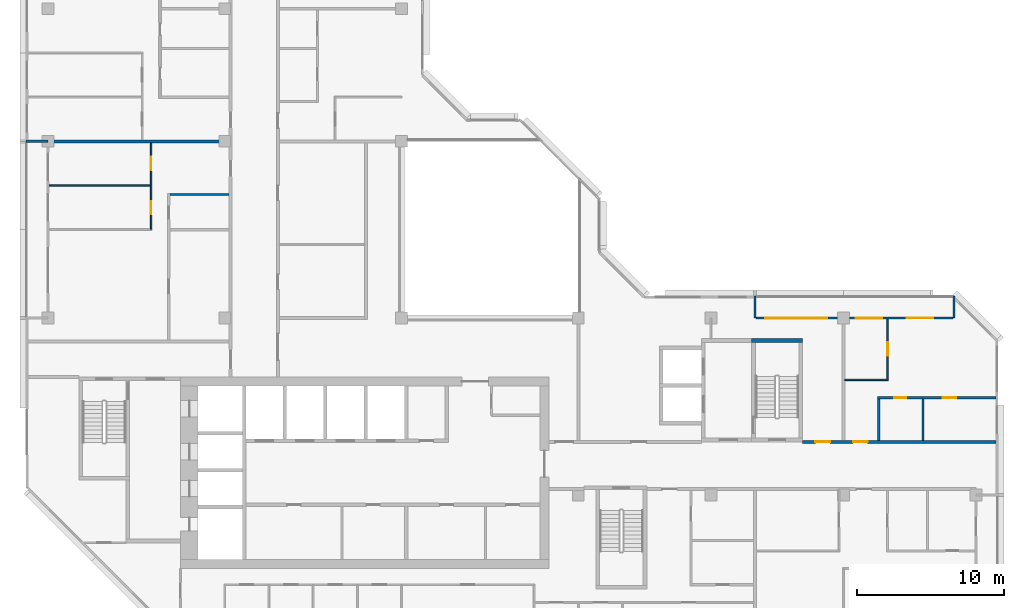
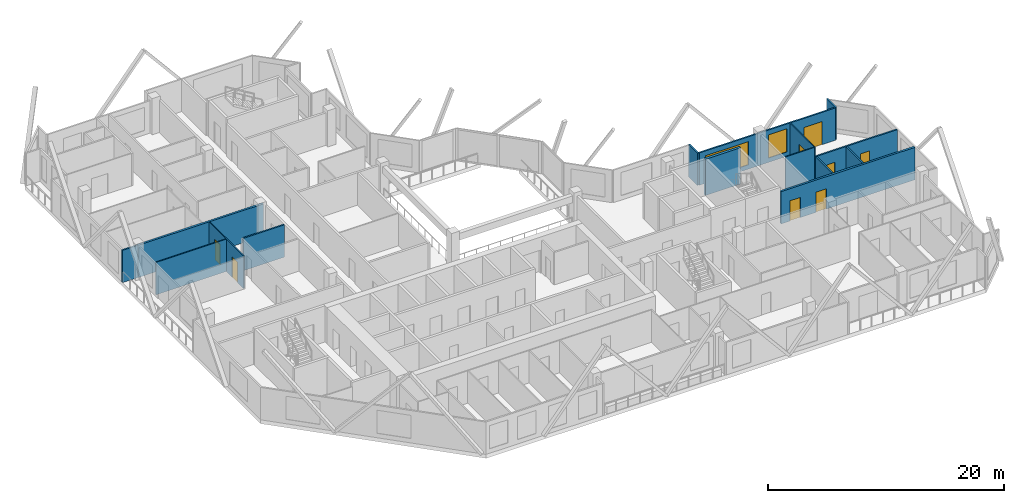
# One storey, part 8 of 13: 15 walls, 8 doors, 2 windows, 10 openings.
"""IFC4 building model written with IfcOpenShell, lengths in metres."""

from ifc_helpers import new_model, si_unit, direction, frame, frame_2d, origin, place, context, subcontext, project, spatial, rectangle, extrude, material, layer, layer_set, type_object, element, fill, save


model = new_model("IFC4")

# Units and contexts
model_context = context("Model", 3, precision=1e-05, world=origin(), true_north=direction((0.0, 1.0)))
body_context = subcontext(model_context, "Body", "Model", "MODEL_VIEW")
ifc_project = project(units=[si_unit("LENGTHUNIT", "METRE"), si_unit("AREAUNIT", "SQUARE_METRE"), si_unit("VOLUMEUNIT", "CUBIC_METRE"), si_unit("PLANEANGLEUNIT", "RADIAN"), si_unit("MASSUNIT", "GRAM", prefix="KILO")], contexts=[model_context])

# Site, building, storey
site_placement = place(None, origin())
site = spatial("IfcSite", under=ifc_project, at=site_placement, CompositionType="ELEMENT")
building_placement = place(site_placement, origin())
building = spatial("IfcBuilding", under=site, at=building_placement, Name="Chenar Terraces", CompositionType="ELEMENT")
storey_placement = place(building_placement, frame((0.0, 0.0, 273.39990234375)))
storey = spatial("IfcBuildingStorey", under=building, at=storey_placement, Name="L63", CompositionType="ELEMENT", Elevation=273.39990234375)

# Wall
ifc_material_1 = material(Name="Concrete C50/60", Category="concrete")
ifc_layer_1 = layer(ifc_material_1, 0.25)
ifc_layer_set_1 = layer_set([ifc_layer_1], Name="Concrete C50/60")
wall_type_1 = type_object("IfcWallType", Name="Core wall 250 Concrete C50/60", PredefinedType="SHEAR", material=ifc_layer_set_1)
wall_1_placement = place(storey_placement, frame((47.77490234375, 22.47509765625, 0.0), z_axis=(0.0, 0.0, 1.0), x_axis=(1.0, 0.0, 0.0)))
element("IfcWall", 1, at=wall_1_placement, inside=storey, type_object=wall_type_1, Name="Core wall ST3_N L63", PredefinedType="SHEAR", context=body_context, shape_type="SweptSolid", body=[
    extrude(rectangle(XDim=3.4501953125, YDim=0.25, at=frame_2d((1.72509765625, 0.0))), origin(), (0.0, 0.0, 1.0), 3.75),
])

# Wall, openings, doors
ifc_material_2 = material(Name="Gypsum board on steel studs with fire boards", Category="steel")
ifc_layer_2 = layer(ifc_material_2, 0.199951171875)
ifc_layer_set_2 = layer_set([ifc_layer_2], Name="Gypsum board on steel studs with fire boards")
wall_type_2 = type_object("IfcWallType", Name="Corridor wall 200", PredefinedType="PARTITIONING", material=ifc_layer_set_2)
wall_2_placement = place(storey_placement, frame((51.22509765625, 15.60009765625, 0.0), z_axis=(0.0, 0.0, 1.0), x_axis=(1.0, 0.0, 0.0)))
wall_2 = element("IfcWall", 2, at=wall_2_placement, inside=storey, type_object=wall_type_2, Name="Partition L63-059", PredefinedType="PARTITIONING", context=body_context, shape_type="SweptSolid", body=[
    extrude(rectangle(XDim=13.125, YDim=0.199951171875, at=frame_2d((6.5625, 0.0))), origin(), (0.0, 0.0, 1.0), 3.35009765625),
])
opening_1_placement = place(wall_2_placement, frame((3.425048828125, 0.0, 0.0)))
opening_1 = element("IfcOpeningElement", 3, at=opening_1_placement, cuts=wall_2, Name="Opening DL63-7", PredefinedType="OPENING", context=body_context, shape_type="SweptSolid", body=[
    extrude(rectangle(XDim=1.0, YDim=2.10009765625, at=frame_2d((0.5, 1.050048828125))), frame((0.0, 0.10986328125, 0.0), z_axis=(0.0, -1.0, 0.0), x_axis=(1.0, 0.0, 0.0)), (0.0, 0.0, 1.0), 0.219970703125),
])
opening_2_placement = place(wall_2_placement, frame((0.875, 0.0, 0.0)))
opening_2 = element("IfcOpeningElement", 4, at=opening_2_placement, cuts=wall_2, Name="Opening DL63-32", PredefinedType="OPENING", context=body_context, shape_type="SweptSolid", body=[
    extrude(rectangle(XDim=1.0, YDim=2.10009765625, at=frame_2d((0.5, 1.050048828125))), frame((0.0, 0.10986328125, 0.0), z_axis=(0.0, -1.0, 0.0), x_axis=(1.0, 0.0, 0.0)), (0.0, 0.0, 1.0), 0.219970703125),
])
ifc_material_3 = material(Name="Steel-framed fire-resisting door leaf", Category="steel")
door_type_1 = type_object("IfcDoorType", Name="Fire door FD30S 1000 x 2100", OperationType="SINGLE_SWING_LEFT", PredefinedType="DOOR", material=ifc_material_3)
door_1_placement = place(opening_1_placement, origin())
door_1 = element("IfcDoor", 5, at=door_1_placement, inside=storey, type_object=door_type_1, Name="Door DL63-7", OperationType="SINGLE_SWING_LEFT", OverallHeight=2.10009765625, OverallWidth=1.0, PredefinedType="DOOR", context=body_context, shape_type="SweptSolid", body=[
    extrude(rectangle(XDim=1.0, YDim=2.10009765625, at=frame_2d((0.5, 1.050048828125))), frame((0.0, 0.02490234375, 0.0), z_axis=(0.0, -1.0, 0.0), x_axis=(1.0, 0.0, 0.0)), (0.0, 0.0, 1.0), 0.050048828125),
])
fill(opening_1, door_1)
door_2_placement = place(opening_2_placement, origin())
door_2 = element("IfcDoor", 6, at=door_2_placement, inside=storey, type_object=door_type_1, Name="Door DL63-32", OperationType="SINGLE_SWING_RIGHT", OverallHeight=2.10009765625, OverallWidth=1.0, PredefinedType="DOOR", context=body_context, shape_type="SweptSolid", body=[
    extrude(rectangle(XDim=1.0, YDim=2.10009765625, at=frame_2d((0.5, 1.050048828125))), frame((0.0, 0.02490234375, 0.0), z_axis=(0.0, -1.0, 0.0), x_axis=(1.0, 0.0, 0.0)), (0.0, 0.0, 1.0), 0.050048828125),
])
fill(opening_2, door_2)

# Wall, openings, windows, door
ifc_material_4 = material(Name="Aluminium framed glazing", Category="aluminium")
ifc_layer_3 = layer(ifc_material_4, 0.14990234375)
ifc_layer_set_3 = layer_set([ifc_layer_3], Name="Aluminium framed glazing")
wall_type_3 = type_object("IfcWallType", Name="Glazed loggia back wall 150", PredefinedType="SOLIDWALL", material=ifc_layer_set_3)
wall_3_placement = place(storey_placement, frame((61.425048828125, 24.0, 0.0), z_axis=(0.0, 0.0, 1.0), x_axis=(-1.0, 0.0, 0.0)))
wall_3 = element("IfcWall", 7, at=wall_3_placement, inside=storey, type_object=wall_type_3, Name="Glazed loggia back wall", PredefinedType="SOLIDWALL", context=body_context, shape_type="SweptSolid", body=[
    extrude(rectangle(XDim=13.35009765625, YDim=0.14990234375, at=frame_2d((6.675048828125, 0.0))), origin(), (0.0, 0.0, 1.0), 3.35009765625),
])
opening_3_placement = place(wall_3_placement, frame((1.3125, 0.0, 0.0)))
opening_3 = element("IfcOpeningElement", 8, at=opening_3_placement, cuts=wall_3, Name="Opening DL63-G1", PredefinedType="OPENING", context=body_context, shape_type="SweptSolid", body=[
    extrude(rectangle(XDim=1.800048828125, YDim=2.39990234375, at=frame_2d((0.89990234375, 1.199951171875))), frame((0.0, 0.0849609375, 0.0), z_axis=(0.0, -1.0, 0.0), x_axis=(1.0, 0.0, 0.0)), (0.0, 0.0, 1.0), 0.169921875),
])
opening_4_placement = place(wall_3_placement, frame((4.77490234375, 0.0, 0.449951171875)))
opening_4 = element("IfcOpeningElement", 9, at=opening_4_placement, cuts=wall_3, Name="Opening W180x240", PredefinedType="OPENING", context=body_context, shape_type="SweptSolid", body=[
    extrude(rectangle(XDim=1.800048828125, YDim=2.39990234375, at=frame_2d((0.89990234375, 1.199951171875))), frame((0.0, 0.0849609375, 0.0), z_axis=(0.0, -1.0, 0.0), x_axis=(1.0, 0.0, 0.0)), (0.0, 0.0, 1.0), 0.169921875),
])
opening_5_placement = place(wall_3_placement, frame((8.53759765625, 0.0, 0.449951171875)))
opening_5 = element("IfcOpeningElement", 10, at=opening_5_placement, cuts=wall_3, Name="Opening W420x240", PredefinedType="OPENING", context=body_context, shape_type="SweptSolid", body=[
    extrude(rectangle(XDim=4.199951171875, YDim=2.39990234375, at=frame_2d((2.10009765625, 1.199951171875))), frame((0.0, 0.0849609375, 0.0), z_axis=(0.0, -1.0, 0.0), x_axis=(1.0, 0.0, 0.0)), (0.0, 0.0, 1.0), 0.169921875),
])
ifc_material_5 = material(Name="Low emissivity double glazing, aluminium frame", Category="aluminium")
window_type_1 = type_object("IfcWindowType", Name="Fixed light 1800 x 2400", PartitioningType="SINGLE_PANEL", PredefinedType="WINDOW", material=ifc_material_5)
window_1_placement = place(opening_4_placement, origin())
window_1 = element("IfcWindow", 11, at=window_1_placement, inside=storey, type_object=window_type_1, Name="Window", OverallHeight=2.39990234375, OverallWidth=1.800048828125, PartitioningType="SINGLE_PANEL", PredefinedType="WINDOW", context=body_context, shape_type="SweptSolid", body=[
    extrude(rectangle(XDim=1.800048828125, YDim=2.39990234375, at=frame_2d((0.89990234375, 1.199951171875))), frame((0.0, 0.030029296875, 0.0), z_axis=(0.0, -1.0, 0.0), x_axis=(1.0, 0.0, 0.0)), (0.0, 0.0, 1.0), 0.06005859375),
])
fill(opening_4, window_1)
ifc_material_6 = material(Name="Low emissivity double glazing, aluminium frame", Category="aluminium")
window_type_2 = type_object("IfcWindowType", Name="Fixed light 4200 x 2400", PartitioningType="SINGLE_PANEL", PredefinedType="WINDOW", material=ifc_material_6)
window_2_placement = place(opening_5_placement, origin())
window_2 = element("IfcWindow", 12, at=window_2_placement, inside=storey, type_object=window_type_2, Name="Window", OverallHeight=2.39990234375, OverallWidth=4.199951171875, PartitioningType="SINGLE_PANEL", PredefinedType="WINDOW", context=body_context, shape_type="SweptSolid", body=[
    extrude(rectangle(XDim=4.199951171875, YDim=2.39990234375, at=frame_2d((2.10009765625, 1.199951171875))), frame((0.0, 0.030029296875, 0.0), z_axis=(0.0, -1.0, 0.0), x_axis=(1.0, 0.0, 0.0)), (0.0, 0.0, 1.0), 0.06005859375),
])
fill(opening_5, window_2)
ifc_material_7 = material(Name="Low emissivity double glazing, aluminium frame", Category="aluminium")
door_type_2 = type_object("IfcDoorType", Name="Loggia glazed double door 1800 x 2400", OperationType="DOUBLE_DOOR_SINGLE_SWING", PredefinedType="DOOR", material=ifc_material_7)
door_3_placement = place(opening_3_placement, frame((1.800048828125, 0.0, 0.0), z_axis=(0.0, 0.0, 1.0), x_axis=(-1.0, 0.0, 0.0)))
door_3 = element("IfcDoor", 13, at=door_3_placement, inside=storey, type_object=door_type_2, Name="Loggia glazed door", OperationType="DOUBLE_DOOR_SINGLE_SWING", OverallHeight=2.39990234375, OverallWidth=1.800048828125, PredefinedType="DOOR", context=body_context, shape_type="SweptSolid", body=[
    extrude(rectangle(XDim=1.800048828125, YDim=2.39990234375, at=frame_2d((0.89990234375, 1.199951171875))), frame((0.0, 0.02490234375, 0.0), z_axis=(0.0, -1.0, 0.0), x_axis=(1.0, 0.0, 0.0)), (0.0, 0.0, 1.0), 0.050048828125),
])
fill(opening_3, door_3)

# Wall
ifc_material_8 = material(Name="Gypsum board on steel studs", Category="steel")
ifc_layer_4 = layer(ifc_material_8, 0.10009765625)
ifc_layer_set_4 = layer_set([ifc_layer_4], Name="Gypsum board on steel studs")
wall_type_4 = type_object("IfcWallType", Name="Gypsum partition 100", PredefinedType="PARTITIONING", material=ifc_layer_set_4)
wall_4_placement = place(storey_placement, frame((0.073974609375, 33.0, 0.0), z_axis=(0.0, 0.0, 1.0), x_axis=(1.0, 0.0, 0.0)))
element("IfcWall", 14, at=wall_4_placement, inside=storey, type_object=wall_type_4, Name="Partition L63-008", PredefinedType="PARTITIONING", context=body_context, shape_type="SweptSolid", body=[
    extrude(rectangle(XDim=6.8759765625, YDim=0.10009765625, at=frame_2d((3.43798828125, 0.0))), origin(), (0.0, 0.0, 1.0), 3.35009765625),
])

# Wall, openings, doors
wall_5_placement = place(storey_placement, frame((7.0, 30.050048828125, 0.0), z_axis=(0.0, 0.0, 1.0), x_axis=(0.0, 1.0, 0.0)))
wall_5 = element("IfcWall", 15, at=wall_5_placement, inside=storey, type_object=wall_type_4, Name="Partition L63-015", PredefinedType="PARTITIONING", context=body_context, shape_type="SweptSolid", body=[
    extrude(rectangle(XDim=5.849853515625, YDim=0.10009765625, at=frame_2d((2.9248046875, 0.0))), origin(), (0.0, 0.0, 1.0), 3.35009765625),
])
opening_6_placement = place(wall_5_placement, frame((1.0, 0.0, 0.0)))
opening_6 = element("IfcOpeningElement", 16, at=opening_6_placement, cuts=wall_5, Name="Opening DL63-48", PredefinedType="OPENING", context=body_context, shape_type="SweptSolid", body=[
    extrude(rectangle(XDim=0.89990234375, YDim=2.10009765625, at=frame_2d((0.449951171875, 1.050048828125))), frame((0.0, 0.06005859375, 0.0), z_axis=(0.0, -1.0, 0.0), x_axis=(1.0, 0.0, 0.0)), (0.0, 0.0, 1.0), 0.1201171875),
])
opening_7_placement = place(wall_5_placement, frame((4.0, 0.0, 0.0)))
opening_7 = element("IfcOpeningElement", 17, at=opening_7_placement, cuts=wall_5, Name="Opening DL63-49", PredefinedType="OPENING", context=body_context, shape_type="SweptSolid", body=[
    extrude(rectangle(XDim=0.89990234375, YDim=2.10009765625, at=frame_2d((0.449951171875, 1.050048828125))), frame((0.0, 0.06005859375, 0.0), z_axis=(0.0, -1.0, 0.0), x_axis=(1.0, 0.0, 0.0)), (0.0, 0.0, 1.0), 0.1201171875),
])
ifc_material_9 = material(Name="Veneered timber door leaf", Category="wood")
door_type_3 = type_object("IfcDoorType", Name="Door 900 x 2100", OperationType="SINGLE_SWING_LEFT", PredefinedType="DOOR", material=ifc_material_9)
door_4_placement = place(opening_6_placement, origin())
door_4 = element("IfcDoor", 18, at=door_4_placement, inside=storey, type_object=door_type_3, Name="Door DL63-48", OperationType="SINGLE_SWING_RIGHT", OverallHeight=2.10009765625, OverallWidth=0.89990234375, PredefinedType="DOOR", context=body_context, shape_type="SweptSolid", body=[
    extrude(rectangle(XDim=0.89990234375, YDim=2.10009765625, at=frame_2d((0.449951171875, 1.050048828125))), frame((0.0, 0.02490234375, 0.0), z_axis=(0.0, -1.0, 0.0), x_axis=(1.0, 0.0, 0.0)), (0.0, 0.0, 1.0), 0.050048828125),
])
fill(opening_6, door_4)
door_5_placement = place(opening_7_placement, origin())
door_5 = element("IfcDoor", 19, at=door_5_placement, inside=storey, type_object=door_type_3, Name="Door DL63-49", OperationType="SINGLE_SWING_RIGHT", OverallHeight=2.10009765625, OverallWidth=0.89990234375, PredefinedType="DOOR", context=body_context, shape_type="SweptSolid", body=[
    extrude(rectangle(XDim=0.89990234375, YDim=2.10009765625, at=frame_2d((0.449951171875, 1.050048828125))), frame((0.0, 0.02490234375, 0.0), z_axis=(0.0, -1.0, 0.0), x_axis=(1.0, 0.0, 0.0)), (0.0, 0.0, 1.0), 0.050048828125),
])
fill(opening_7, door_5)

# Wall
wall_6_placement = place(storey_placement, frame((54.10009765625, 19.800048828125, 0.0), z_axis=(0.0, 0.0, 1.0), x_axis=(1.0, 0.0, 0.0)))
element("IfcWall", 20, at=wall_6_placement, inside=storey, type_object=wall_type_4, Name="Partition L63-064", PredefinedType="PARTITIONING", context=body_context, shape_type="SweptSolid", body=[
    extrude(rectangle(XDim=2.849853515625, YDim=0.10009765625, at=frame_2d((1.4248046875, 0.0))), origin(), (0.0, 0.0, 1.0), 3.35009765625),
])

# Wall, opening, door
wall_7_placement = place(storey_placement, frame((57.0, 19.75, 0.0), z_axis=(0.0, 0.0, 1.0), x_axis=(0.0, 1.0, 0.0)))
wall_7 = element("IfcWall", 21, at=wall_7_placement, inside=storey, type_object=wall_type_4, Name="Partition L63-070", PredefinedType="PARTITIONING", context=body_context, shape_type="SweptSolid", body=[
    extrude(rectangle(XDim=4.176025390625, YDim=0.10009765625, at=frame_2d((2.087890625, 0.0))), origin(), (0.0, 0.0, 1.0), 3.35009765625),
])
opening_8_placement = place(wall_7_placement, frame((1.699951171875, 0.0, 0.0)))
opening_8 = element("IfcOpeningElement", 22, at=opening_8_placement, cuts=wall_7, Name="Opening DL63-5", PredefinedType="OPENING", context=body_context, shape_type="SweptSolid", body=[
    extrude(rectangle(XDim=0.89990234375, YDim=2.10009765625, at=frame_2d((0.449951171875, 1.050048828125))), frame((0.0, 0.06005859375, 0.0), z_axis=(0.0, -1.0, 0.0), x_axis=(1.0, 0.0, 0.0)), (0.0, 0.0, 1.0), 0.1201171875),
])
door_6_placement = place(opening_8_placement, origin())
door_6 = element("IfcDoor", 23, at=door_6_placement, inside=storey, type_object=door_type_3, Name="Door DL63-5", OperationType="SINGLE_SWING_LEFT", OverallHeight=2.10009765625, OverallWidth=0.89990234375, PredefinedType="DOOR", context=body_context, shape_type="SweptSolid", body=[
    extrude(rectangle(XDim=0.89990234375, YDim=2.10009765625, at=frame_2d((0.449951171875, 1.050048828125))), frame((0.0, 0.02490234375, 0.0), z_axis=(0.0, -1.0, 0.0), x_axis=(1.0, 0.0, 0.0)), (0.0, 0.0, 1.0), 0.050048828125),
])
fill(opening_8, door_6)

# Walls
ifc_material_10 = material(Name="Terracotta cladding on insulated backing", Category="masonry")
ifc_layer_5 = layer(ifc_material_10, 0.14990234375)
ifc_layer_set_5 = layer_set([ifc_layer_5], Name="Terracotta cladding on insulated backing")
wall_type_5 = type_object("IfcWallType", Name="Loggia return wall 150", PredefinedType="SOLIDWALL", material=ifc_layer_set_5)
for number, where, z_axis, x_axis, name in (
    (24, (61.5, 25.5, 0.0), (0.0, 0.0, 1.0), (0.0, -1.0, 0.0), "Loggia return wall"),
    (25, (48.0, 25.5, 0.0), (0.0, 0.0, 1.0), (0.0, -1.0, 0.0), "Loggia return wall"),
    (26, (-1.5, 36.0, 0.0), (0.0, 0.0, 1.0), (1.0, 0.0, 0.0), "Loggia return wall"),
):
    element("IfcWall", number, at=place(storey_placement, frame(where, z_axis=z_axis, x_axis=x_axis)), inside=storey, type_object=wall_type_5, Name=name, PredefinedType="SOLIDWALL", context=body_context, shape_type="SweptSolid", body=[
        extrude(rectangle(XDim=1.5, YDim=0.14990234375, at=frame_2d((0.75, 0.0))), origin(), (0.0, 0.0, 1.0), 3.35009765625),
    ])
ifc_material_11 = material(Name="Twin gypsum board on steel studs with mineral wool", Category="steel")
ifc_layer_6 = layer(ifc_material_11, 0.199951171875)
ifc_layer_set_6 = layer_set([ifc_layer_6], Name="Twin gypsum board on steel studs with mineral wool")
wall_type_6 = type_object("IfcWallType", Name="Unit demising wall 200", PredefinedType="PARTITIONING", material=ifc_layer_set_6)
wall_8_placement = place(storey_placement, frame((0.0, 36.0, 0.0), z_axis=(0.0, 0.0, 1.0), x_axis=(1.0, 0.0, 0.0)))
element("IfcWall", 27, at=wall_8_placement, inside=storey, type_object=wall_type_6, Name="Partition L63-004", PredefinedType="PARTITIONING", context=body_context, shape_type="SweptSolid", body=[
    extrude(rectangle(XDim=12.300048828125, YDim=0.199951171875, at=frame_2d((6.14990234375, 0.0))), origin(), (0.0, 0.0, 1.0), 3.35009765625),
])
ifc_material_12 = material(Name="Moisture-resistant gypsum board on steel studs", Category="steel")
ifc_layer_7 = layer(ifc_material_12, 0.14990234375)
ifc_layer_set_7 = layer_set([ifc_layer_7], Name="Moisture-resistant gypsum board on steel studs")
wall_type_7 = type_object("IfcWallType", Name="Wet-room partition 150", PredefinedType="PARTITIONING", material=ifc_layer_set_7)
wall_9_placement = place(storey_placement, frame((8.27490234375, 32.39990234375, 0.0), z_axis=(0.0, 0.0, 1.0), x_axis=(1.0, 0.0, 0.0)))
element("IfcWall", 28, at=wall_9_placement, inside=storey, type_object=wall_type_7, Name="Partition L63-023", PredefinedType="PARTITIONING", context=body_context, shape_type="SweptSolid", body=[
    extrude(rectangle(XDim=4.025146484375, YDim=0.14990234375, at=frame_2d((2.0126953125, 0.0))), origin(), (0.0, 0.0, 1.0), 3.35009765625),
])

# Wall, openings, doors
wall_10_placement = place(storey_placement, frame((56.324951171875, 18.60009765625, 0.0), z_axis=(0.0, 0.0, 1.0), x_axis=(1.0, 0.0, 0.0)))
wall_10 = element("IfcWall", 29, at=wall_10_placement, inside=storey, type_object=wall_type_7, Name="Partition L63-065", PredefinedType="PARTITIONING", context=body_context, shape_type="SweptSolid", body=[
    extrude(rectangle(XDim=8.025146484375, YDim=0.14990234375, at=frame_2d((4.0126953125, 0.0))), origin(), (0.0, 0.0, 1.0), 3.35009765625),
])
opening_9_placement = place(wall_10_placement, frame((1.125, 0.0, 0.0)))
opening_9 = element("IfcOpeningElement", 30, at=opening_9_placement, cuts=wall_10, Name="Opening DL63-4", PredefinedType="OPENING", context=body_context, shape_type="SweptSolid", body=[
    extrude(rectangle(XDim=0.800048828125, YDim=2.10009765625, at=frame_2d((0.39990234375, 1.050048828125))), frame((0.0, 0.0849609375, 0.0), z_axis=(0.0, -1.0, 0.0), x_axis=(1.0, 0.0, 0.0)), (0.0, 0.0, 1.0), 0.169921875),
])
opening_10_placement = place(wall_10_placement, frame((4.425048828125, 0.0, 0.0)))
opening_10 = element("IfcOpeningElement", 31, at=opening_10_placement, cuts=wall_10, Name="Opening DL63-6", PredefinedType="OPENING", context=body_context, shape_type="SweptSolid", body=[
    extrude(rectangle(XDim=0.89990234375, YDim=2.10009765625, at=frame_2d((0.449951171875, 1.050048828125))), frame((0.0, 0.0849609375, 0.0), z_axis=(0.0, -1.0, 0.0), x_axis=(1.0, 0.0, 0.0)), (0.0, 0.0, 1.0), 0.169921875),
])
ifc_material_13 = material(Name="Veneered timber door leaf", Category="wood")
door_type_4 = type_object("IfcDoorType", Name="Door 800 x 2100", OperationType="SINGLE_SWING_LEFT", PredefinedType="DOOR", material=ifc_material_13)
door_7_placement = place(opening_9_placement, frame((0.800048828125, 0.0, 0.0), z_axis=(0.0, 0.0, 1.0), x_axis=(-1.0, 0.0, 0.0)))
door_7 = element("IfcDoor", 32, at=door_7_placement, inside=storey, type_object=door_type_4, Name="Door DL63-4", OperationType="SINGLE_SWING_RIGHT", OverallHeight=2.10009765625, OverallWidth=0.800048828125, PredefinedType="DOOR", context=body_context, shape_type="SweptSolid", body=[
    extrude(rectangle(XDim=0.800048828125, YDim=2.10009765625, at=frame_2d((0.39990234375, 1.050048828125))), frame((0.0, 0.02490234375, 0.0), z_axis=(0.0, -1.0, 0.0), x_axis=(1.0, 0.0, 0.0)), (0.0, 0.0, 1.0), 0.050048828125),
])
fill(opening_9, door_7)
door_8_placement = place(opening_10_placement, frame((0.89990234375, 0.0, 0.0), z_axis=(0.0, 0.0, 1.0), x_axis=(-1.0, 0.0, 0.0)))
door_8 = element("IfcDoor", 33, at=door_8_placement, inside=storey, type_object=door_type_3, Name="Door DL63-6", OperationType="SINGLE_SWING_RIGHT", OverallHeight=2.10009765625, OverallWidth=0.89990234375, PredefinedType="DOOR", context=body_context, shape_type="SweptSolid", body=[
    extrude(rectangle(XDim=0.89990234375, YDim=2.10009765625, at=frame_2d((0.449951171875, 1.050048828125))), frame((0.0, 0.02490234375, 0.0), z_axis=(0.0, -1.0, 0.0), x_axis=(1.0, 0.0, 0.0)), (0.0, 0.0, 1.0), 0.050048828125),
])
fill(opening_10, door_8)

# Walls
for number, where, z_axis, x_axis, name in (
    (34, (56.39990234375, 15.699951171875, 0.0), (0.0, 0.0, 1.0), (0.0, 1.0, 0.0), "Partition L63-066"),
    (35, (59.39990234375, 15.699951171875, 0.0), (0.0, 0.0, 1.0), (0.0, 1.0, 0.0), "Partition L63-071"),
):
    element("IfcWall", number, at=place(storey_placement, frame(where, z_axis=z_axis, x_axis=x_axis)), inside=storey, type_object=wall_type_7, Name=name, PredefinedType="PARTITIONING", context=body_context, shape_type="SweptSolid", body=[
        extrude(rectangle(XDim=2.824951171875, YDim=0.14990234375, at=frame_2d((1.41259765625, 0.0))), origin(), (0.0, 0.0, 1.0), 3.35009765625),
    ])

save(model, "model.ifc")
